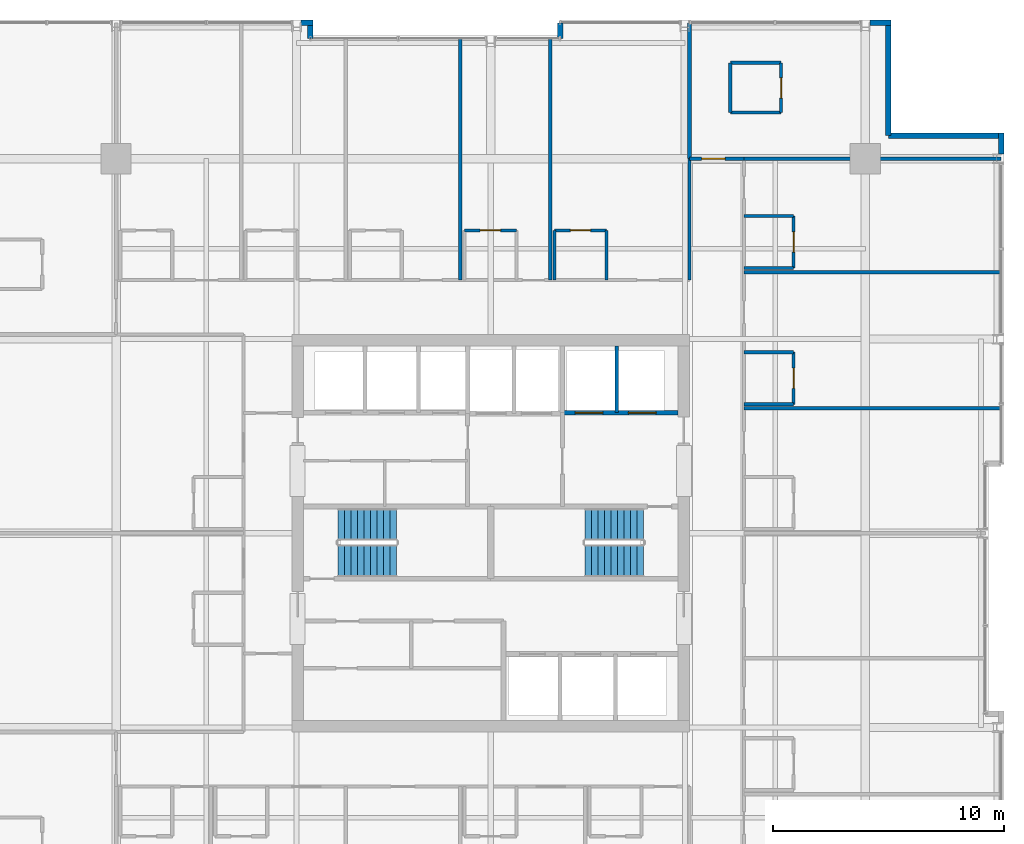
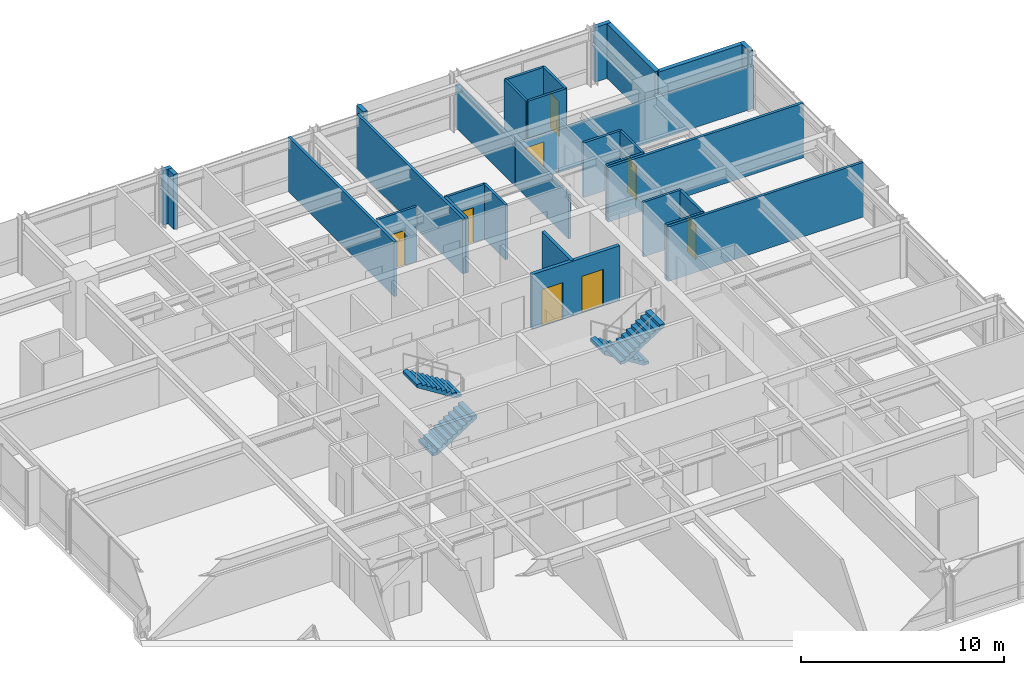
# One storey, part 30 of 32: 31 walls, 8 doors, 4 stair flights, 8 openings, 2 elements without a shape of their own.
"""IFC4 building model written with IfcOpenShell, lengths in metres."""

import ifcopenshell
import ifcopenshell.guid

model = None  # the IFC model being written
_history = None  # IfcOwnerHistory: only IFC2X3 demands one
_inside = {}  # id of a spatial element -> (the spatial element, [elements in it])
_under = {}  # id of a project, library or spatial element -> (it, [spatial elements below it])
_declared = {}  # id of a project -> (the project, [libraries it declares])
_typed = {}  # id of a type object -> (the type object, [elements of that type])
_made_of = {}  # id of a material, layer set ... -> (it, [elements and type objects made of it])


def new_model(schema):
    """Start an empty IFC model of exactly this schema.

    Asked for "IFC4X3", IfcOpenShell would pick the latest addendum, in which some entities
    have other attributes; the version numbers below select the first issue.
    IFC2X3 requires an IfcOwnerHistory on every rooted entity: one is made here for all.
    """
    global model, _history
    if schema == "IFC4X3":
        model = ifcopenshell.file(schema_version=(4, 3, 0, 0))
    else:
        model = ifcopenshell.file(schema=schema)
    _inside.clear()
    _under.clear()
    _declared.clear()
    _typed.clear()
    _made_of.clear()
    _history = None
    if model.schema == "IFC2X3":
        org = make("IfcOrganization", Name="unknown")
        user = make(
            "IfcPersonAndOrganization",
            ThePerson=make("IfcPerson", FamilyName="unknown"),
            TheOrganization=org,
        )
        app = make(
            "IfcApplication",
            ApplicationDeveloper=org,
            Version="unknown",
            ApplicationFullName="unknown",
            ApplicationIdentifier="unknown",
        )
        _history = make(
            "IfcOwnerHistory",
            OwningUser=user,
            OwningApplication=app,
            ChangeAction="ADDED",
            CreationDate=0,
        )
    return model


def make(cls, **values):
    """One entity of the class cls with the attributes given. An attribute that is None is left unset."""
    return model.create_entity(
        cls, **{name: value for name, value in values.items() if value is not None}
    )


def rooted(cls, **values):
    """An entity with a GlobalId (a new one), such as an element, a storey or a relation."""
    return make(cls, GlobalId=ifcopenshell.guid.new(), OwnerHistory=_history, **values)


def si_unit(unit_type, name, prefix=None):
    """IfcSIUnit, for example si_unit("LENGTHUNIT", "METRE", prefix="MILLI")."""
    return make("IfcSIUnit", UnitType=unit_type, Prefix=prefix, Name=name)


def assignment(units):
    """IfcUnitAssignment: the units of a project."""
    return None if units is None else make("IfcUnitAssignment", Units=units)


def point(xyz):
    """IfcCartesianPoint."""
    return None if xyz is None else make("IfcCartesianPoint", Coordinates=xyz)


def direction(xyz):
    """IfcDirection."""
    return None if xyz is None else make("IfcDirection", DirectionRatios=xyz)


def frame(location, z_axis=None, x_axis=None):
    """IfcAxis2Placement3D, a coordinate frame: its origin and axes. An axis left out is left unset."""
    return make(
        "IfcAxis2Placement3D",
        Location=point(location),
        Axis=direction(z_axis),
        RefDirection=direction(x_axis),
    )


def frame_2d(location, x_axis=None):
    """IfcAxis2Placement2D, a coordinate frame in the plane: its origin and x axis."""
    return make(
        "IfcAxis2Placement2D", Location=point(location), RefDirection=direction(x_axis)
    )


def origin():
    """The frame at (0, 0, 0) with its axes left unset."""
    return frame((0.0, 0.0, 0.0))


def place(relative_to, where):
    """IfcLocalPlacement: puts the frame where relative to a parent placement (None: the world)."""
    return make(
        "IfcLocalPlacement", PlacementRelTo=relative_to, RelativePlacement=where
    )


def context(
    kind, dimensions, precision=None, world=None, true_north=None, identifier=None
):
    """IfcGeometricRepresentationContext, for example the 3D "Model" context."""
    return make(
        "IfcGeometricRepresentationContext",
        ContextIdentifier=identifier,
        ContextType=kind,
        CoordinateSpaceDimension=dimensions,
        Precision=precision,
        WorldCoordinateSystem=world,
        TrueNorth=true_north,
    )


def subcontext(parent, identifier, kind, view, scale=None):
    """IfcGeometricRepresentationSubContext, for example "Body" below "Model"."""
    return make(
        "IfcGeometricRepresentationSubContext",
        ContextIdentifier=identifier,
        ContextType=kind,
        ParentContext=parent,
        TargetScale=scale,
        TargetView=view,
    )


def project(units=None, contexts=None):
    """IfcProject with its units and contexts."""
    return rooted(
        "IfcProject",
        Name="project",
        RepresentationContexts=contexts,
        UnitsInContext=assignment(units),
    )


def spatial(cls, under=None, at=None, **own):
    """A site, building, storey or space (cls), placed at a placement, below another one or the project."""
    s = rooted(cls, ObjectPlacement=at, **own)
    if under is not None:
        _under.setdefault(under.id(), (under, []))[1].append(s)
    return s


def polyline(points):
    """IfcPolyline through the points."""
    return make("IfcPolyline", Points=[point(p) for p in points])


def profile(cls, at=None, kind="AREA", **sizes):
    """A parametric profile (cls). Its sizes go by their IFC names, for example OverallWidth=200.0."""
    return make(cls, ProfileType=kind, Position=at, **sizes)


def rectangle(**sizes):
    """IfcRectangleProfileDef."""
    return profile("IfcRectangleProfileDef", **sizes)


def outline(outer, holes=None, kind="AREA"):
    """IfcArbitraryClosedProfileDef: a profile drawn as a closed curve; with holes, ...WithVoids."""
    if holes is None:
        return make("IfcArbitraryClosedProfileDef", ProfileType=kind, OuterCurve=outer)
    return make(
        "IfcArbitraryProfileDefWithVoids",
        ProfileType=kind,
        OuterCurve=outer,
        InnerCurves=holes,
    )


def extrude(swept, where, along, depth):
    """IfcExtrudedAreaSolid: the profile swept, set in the frame where, extruded along a direction by depth."""
    return make(
        "IfcExtrudedAreaSolid",
        SweptArea=swept,
        Position=where,
        ExtrudedDirection=direction(along),
        Depth=depth,
    )


def shape(context_of_items, identifier, shape_type, items):
    """IfcShapeRepresentation: the items that make up one representation, for example the "Body"."""
    return make(
        "IfcShapeRepresentation",
        ContextOfItems=context_of_items,
        RepresentationIdentifier=identifier,
        RepresentationType=shape_type,
        Items=items,
    )


def material(Name=None, Category=None):
    """IfcMaterial."""
    return make("IfcMaterial", Name=Name, Category=Category)


def layer(
    of_material, thickness, ventilated=None, Name=None, Category=None, Priority=None
):
    """IfcMaterialLayer: one layer of a wall or slab, of a material (None: an air gap)."""
    return make(
        "IfcMaterialLayer",
        Material=of_material,
        LayerThickness=thickness,
        IsVentilated=ventilated,
        Name=Name,
        Category=Category,
        Priority=Priority,
    )


def layer_set(layers, Name=None):
    """IfcMaterialLayerSet."""
    return make("IfcMaterialLayerSet", MaterialLayers=layers, LayerSetName=Name)


def made_of(thing, what):
    """Note that an element or type object is made of a material, layer set ...; save() writes the relation."""
    if what is not None:
        _made_of.setdefault(what.id(), (what, []))[1].append(thing)
    return thing


def type_object(cls, material=None, **own):
    """A type object (cls), such as IfcWallType, which elements share."""
    return made_of(rooted(cls, **own), material)


def element(
    cls,
    number,
    at=None,
    inside=None,
    cuts=None,
    type_object=None,
    material=None,
    context=None,
    identifier="Body",
    shape_type=None,
    held_by="IfcProductDefinitionShape",
    body=None,
    shapes=None,
    **own,
):
    """One element of the class cls, such as IfcWall. Its Tag is "e" and its number.

    at: its placement. inside: the storey or other place that contains it. cuts: it is an
    opening in that element (IfcRelVoidsElement). A single representation is given by context,
    identifier, shape_type and body (its items); several are given by shapes. held_by: the class
    of the entity that holds the representations. save() writes the other relations.
    """
    e = rooted(cls, Tag="e%d" % number, ObjectPlacement=at, **own)
    if body is not None:
        shapes = [shape(context, identifier, shape_type, body)]
    if shapes is not None:
        e.Representation = make(held_by, Representations=shapes)
    if inside is not None:
        _inside.setdefault(inside.id(), (inside, []))[1].append(e)
    if cuts is not None:
        rooted(
            "IfcRelVoidsElement", RelatingBuildingElement=cuts, RelatedOpeningElement=e
        )
    if type_object is not None:
        _typed.setdefault(type_object.id(), (type_object, []))[1].append(e)
    return made_of(e, material)


def fill(opening, filler):
    """IfcRelFillsElement: the door or window that sits in an opening."""
    return rooted(
        "IfcRelFillsElement",
        RelatingOpeningElement=opening,
        RelatedBuildingElement=filler,
    )


def aggregate(whole, parts):
    """IfcRelAggregates: a whole, such as a stair, and the parts it consists of."""
    return rooted("IfcRelAggregates", RelatingObject=whole, RelatedObjects=parts)


def save(model, path):
    """Write the relations noted so far, then the file.

    IfcRelAggregates (storeys below a building ...), IfcRelContainedInSpatialStructure (elements
    in a storey), IfcRelDefinesByType, IfcRelAssociatesMaterial and IfcRelDeclares: one each for
    every whole, place, type object, material and project.
    """
    for whole, parts in _under.values():
        aggregate(whole, parts)
    for where, things in _inside.values():
        rooted(
            "IfcRelContainedInSpatialStructure",
            RelatedElements=things,
            RelatingStructure=where,
        )
    for kind, things in _typed.values():
        rooted("IfcRelDefinesByType", RelatedObjects=things, RelatingType=kind)
    for what, things in _made_of.values():
        rooted("IfcRelAssociatesMaterial", RelatedObjects=things, RelatingMaterial=what)
    for by, libraries in _declared.values():
        rooted("IfcRelDeclares", RelatingContext=by, RelatedDefinitions=libraries)
    model.write(path)


model = new_model("IFC4")

# Units and contexts
model_context = context("Model", 3, precision=1e-05, world=origin(), true_north=direction((0.0, 1.0)))
body_context = subcontext(model_context, "Body", "Model", "MODEL_VIEW")
ifc_project = project(units=[si_unit("LENGTHUNIT", "METRE"), si_unit("AREAUNIT", "SQUARE_METRE"), si_unit("VOLUMEUNIT", "CUBIC_METRE"), si_unit("PLANEANGLEUNIT", "RADIAN"), si_unit("MASSUNIT", "GRAM", prefix="KILO")], contexts=[model_context])

# Site, building, storey
site_placement = place(None, origin())
site = spatial("IfcSite", under=ifc_project, at=site_placement, CompositionType="ELEMENT")
building_placement = place(site_placement, origin())
building = spatial("IfcBuilding", under=site, at=building_placement, Name="Drelvath Grand Hotel", CompositionType="ELEMENT")
storey_placement = place(building_placement, frame((0.0, 0.0, 150.39990234375)))
storey = spatial("IfcBuildingStorey", under=building, at=storey_placement, Name="L38", CompositionType="ELEMENT", Elevation=150.39990234375)

# Wall, openings, doors
ifc_material_1 = material(Name="Concrete C40/50", Category="concrete")
ifc_layer_1 = layer(ifc_material_1, 0.199951171875)
ifc_layer_set_1 = layer_set([ifc_layer_1], Name="Concrete C40/50")
wall_type_1 = type_object("IfcWallType", Name="Core Hoistway Fire Wall 200", PredefinedType="SOLIDWALL", material=ifc_layer_set_1)
wall_1_placement = place(storey_placement, frame((3.10009765625, 32.219970703125, 0.0), z_axis=(0.0, 0.0, 1.0), x_axis=(1.0, 0.0, 0.0)))
wall_1 = element("IfcWall", 1, at=wall_1_placement, inside=storey, type_object=wall_type_1, Name="L38 FSAE Hoistway Front Wall", PredefinedType="SOLIDWALL", context=body_context, shape_type="SweptSolid", body=[
    extrude(rectangle(XDim=5.0, YDim=0.199951171875, at=frame_2d((2.5, 0.0))), origin(), (0.0, 0.0, 1.0), 3.2900390625),
])
opening_1_placement = place(wall_1_placement, frame((0.550048828125, 0.0, 0.0)))
opening_1 = element("IfcOpeningElement", 2, at=opening_1_placement, cuts=wall_1, Name="Opening LD-FSAE-1", PredefinedType="OPENING", context=body_context, shape_type="SweptSolid", body=[
    extrude(rectangle(XDim=1.199951171875, YDim=2.199951171875, at=frame_2d((0.60009765625, 1.10009765625))), frame((0.0, 0.10986328125, 0.0), z_axis=(0.0, -1.0, 0.0), x_axis=(1.0, 0.0, 0.0)), (0.0, 0.0, 1.0), 0.219970703125),
])
opening_2_placement = place(wall_1_placement, frame((2.85009765625, 0.0, 0.0)))
opening_2 = element("IfcOpeningElement", 3, at=opening_2_placement, cuts=wall_1, Name="Opening LD-FSAE-2", PredefinedType="OPENING", context=body_context, shape_type="SweptSolid", body=[
    extrude(rectangle(XDim=1.199951171875, YDim=2.199951171875, at=frame_2d((0.60009765625, 1.10009765625))), frame((0.0, 0.10986328125, 0.0), z_axis=(0.0, -1.0, 0.0), x_axis=(1.0, 0.0, 0.0)), (0.0, 0.0, 1.0), 0.219970703125),
])
ifc_material_2 = material(Name="Stainless Steel S355", Category="steel")
door_type_1 = type_object("IfcDoorType", Name="FSAE Lift Sliding Landing Door 1200x2200", OperationType="NOTDEFINED", PredefinedType="DOOR", material=ifc_material_2)
door_1_placement = place(opening_1_placement, origin())
door_1 = element("IfcDoor", 4, at=door_1_placement, inside=storey, type_object=door_type_1, Name="L38 Lift FSAE-1 Landing Door", OperationType="SLIDING_TO_LEFT", OverallHeight=2.199951171875, OverallWidth=1.199951171875, PredefinedType="DOOR", context=body_context, shape_type="SweptSolid", body=[
    extrude(rectangle(XDim=1.199951171875, YDim=2.199951171875, at=frame_2d((0.60009765625, 1.10009765625))), frame((0.0, 0.02490234375, 0.0), z_axis=(0.0, -1.0, 0.0), x_axis=(1.0, 0.0, 0.0)), (0.0, 0.0, 1.0), 0.050048828125),
])
fill(opening_1, door_1)
door_2_placement = place(opening_2_placement, origin())
door_2 = element("IfcDoor", 5, at=door_2_placement, inside=storey, type_object=door_type_1, Name="L38 Lift FSAE-2 Landing Door", OperationType="SLIDING_TO_LEFT", OverallHeight=2.199951171875, OverallWidth=1.199951171875, PredefinedType="DOOR", context=body_context, shape_type="SweptSolid", body=[
    extrude(rectangle(XDim=1.199951171875, YDim=2.199951171875, at=frame_2d((0.60009765625, 1.10009765625))), frame((0.0, 0.02490234375, 0.0), z_axis=(0.0, -1.0, 0.0), x_axis=(1.0, 0.0, 0.0)), (0.0, 0.0, 1.0), 0.050048828125),
])
fill(opening_2, door_2)

# Walls
ifc_material_3 = material(Name="Gypsum Fireboard Partition")
ifc_layer_2 = layer(ifc_material_3, 0.1650390625)
ifc_layer_set_2 = layer_set([ifc_layer_2], Name="Gypsum Fireboard Partition")
wall_type_2 = type_object("IfcWallType", Name="Core Shaft Partition 165", PredefinedType="PARTITIONING", material=ifc_layer_set_2)
wall_2_placement = place(storey_placement, frame((5.449951171875, 32.219970703125, 0.0), z_axis=(0.0, 0.0, 1.0), x_axis=(0.0, 1.0, 0.0)))
element("IfcWall", 6, at=wall_2_placement, inside=storey, type_object=wall_type_2, Name="L38 FSAE Hoistway Divider", PredefinedType="PARTITIONING", context=body_context, shape_type="SweptSolid", body=[
    extrude(rectangle(XDim=2.880126953125, YDim=0.1650390625, at=frame_2d((1.43994140625, 0.0))), origin(), (0.0, 0.0, 1.0), 3.2900390625),
])
ifc_layer_3 = layer(ifc_material_3, 0.135009765625)
ifc_layer_set_3 = layer_set([ifc_layer_3], Name="Gypsum Fireboard Partition")
wall_type_3 = type_object("IfcWallType", Name="Corridor Fire Barrier Wall 135", PredefinedType="PARTITIONING", material=ifc_layer_set_3)
wall_3_placement = place(storey_placement, frame((8.60009765625, 37.949951171875, 0.0), z_axis=(0.0, 0.0, 1.0), x_axis=(0.0, 1.0, 0.0)))
element("IfcWall", 7, at=wall_3_placement, inside=storey, type_object=wall_type_3, Name="L38 East Spine North Inner Wall", PredefinedType="PARTITIONING", context=body_context, shape_type="SweptSolid", body=[
    extrude(rectangle(XDim=5.25, YDim=0.135009765625, at=frame_2d((2.625, 0.0))), origin(), (0.0, 0.0, 1.0), 2.66748046875),
])

# Wall, opening, door
wall_4_placement = place(storey_placement, frame((8.60009765625, 43.199951171875, 0.0), z_axis=(0.0, 0.0, 1.0), x_axis=(1.0, 0.0, 0.0)))
wall_4 = element("IfcWall", 8, at=wall_4_placement, inside=storey, type_object=wall_type_3, Name="L38 East Spine North End", PredefinedType="PARTITIONING", context=body_context, shape_type="SweptSolid", body=[
    extrude(rectangle(XDim=2.349853515625, YDim=0.135009765625, at=frame_2d((1.1748046875, 0.0))), origin(), (0.0, 0.0, 1.0), 2.57958984375),
])
opening_3_placement = place(wall_4_placement, frame((0.52001953125, 0.0, 0.0)))
opening_3 = element("IfcOpeningElement", 9, at=opening_3_placement, cuts=wall_4, Name="Opening D-T3G1-033", PredefinedType="OPENING", context=body_context, shape_type="SweptSolid", body=[
    extrude(rectangle(XDim=1.02001953125, YDim=2.14990234375, at=frame_2d((0.510009765625, 1.074951171875))), frame((0.0, 0.077392578125, 0.0), z_axis=(0.0, -1.0, 0.0), x_axis=(1.0, 0.0, 0.0)), (0.0, 0.0, 1.0), 0.155029296875),
])
ifc_material_4 = material(Name="Hardwood Walnut Timber", Category="wood")
door_type_2 = type_object("IfcDoorType", Name="Amenity Meeting Fire Door 1020x2150", OperationType="NOTDEFINED", PredefinedType="DOOR", material=ifc_material_4)
door_3_placement = place(opening_3_placement, origin())
door_3 = element("IfcDoor", 10, at=door_3_placement, inside=storey, type_object=door_type_2, Name="L38 Executive Suite Entry Door", OperationType="SINGLE_SWING_LEFT", OverallHeight=2.14990234375, OverallWidth=1.02001953125, PredefinedType="DOOR", context=body_context, shape_type="SweptSolid", body=[
    extrude(rectangle(XDim=1.02001953125, YDim=2.14990234375, at=frame_2d((0.510009765625, 1.074951171875))), frame((0.0, 0.02490234375, 0.0), z_axis=(0.0, -1.0, 0.0), x_axis=(1.0, 0.0, 0.0)), (0.0, 0.0, 1.0), 0.050048828125),
])
fill(opening_3, door_3)

# Walls
ifc_material_5 = material(Name="Moisture-Resistant Gypsum Board")
ifc_layer_4 = layer(ifc_material_5, 0.139892578125)
ifc_layer_set_4 = layer_set([ifc_layer_4], Name="Moisture-Resistant Gypsum Board")
wall_type_4 = type_object("IfcWallType", Name="En-Suite Plumbing Wall 140", PredefinedType="PLUMBINGWALL", material=ifc_layer_set_4)
for number, where, z_axis, x_axis, name in (
    (11, (10.360107421875, 45.199951171875, 0.0), (0.0, 0.0, 1.0), (1.0, 0.0, 0.0), "L38 Corner En-Suite South"),
    (12, (10.360107421875, 47.35009765625, 0.0), (0.0, 0.0, 1.0), (1.0, 0.0, 0.0), "L38 Corner En-Suite North"),
):
    element("IfcWall", number, at=place(storey_placement, frame(where, z_axis=z_axis, x_axis=x_axis)), inside=storey, type_object=wall_type_4, Name=name, PredefinedType="PLUMBINGWALL", context=body_context, shape_type="SweptSolid", body=[
        extrude(rectangle(XDim=2.199951171875, YDim=0.139892578125, at=frame_2d((1.10009765625, 0.0))), origin(), (0.0, 0.0, 1.0), 3.2900390625),
    ])
wall_5_placement = place(storey_placement, frame((10.360107421875, 45.199951171875, 0.0), z_axis=(0.0, 0.0, 1.0), x_axis=(0.0, 1.0, 0.0)))
element("IfcWall", 13, at=wall_5_placement, inside=storey, type_object=wall_type_4, Name="L38 Corner En-Suite West", PredefinedType="PLUMBINGWALL", context=body_context, shape_type="SweptSolid", body=[
    extrude(rectangle(XDim=2.150146484375, YDim=0.139892578125, at=frame_2d((1.0751953125, 0.0))), origin(), (0.0, 0.0, 1.0), 3.2900390625),
])

# Wall, opening, door
wall_6_placement = place(storey_placement, frame((12.56005859375, 45.199951171875, 0.0), z_axis=(0.0, 0.0, 1.0), x_axis=(0.0, 1.0, 0.0)))
wall_6 = element("IfcWall", 14, at=wall_6_placement, inside=storey, type_object=wall_type_4, Name="L38 Corner En-Suite East", PredefinedType="PLUMBINGWALL", context=body_context, shape_type="SweptSolid", body=[
    extrude(rectangle(XDim=2.150146484375, YDim=0.139892578125, at=frame_2d((1.0751953125, 0.0))), origin(), (0.0, 0.0, 1.0), 3.2900390625),
])
opening_4_placement = place(wall_6_placement, frame((0.6201171875, 0.0, 0.0)))
opening_4 = element("IfcOpeningElement", 15, at=opening_4_placement, cuts=wall_6, Name="Opening D-T3G1-032", PredefinedType="OPENING", context=body_context, shape_type="SweptSolid", body=[
    extrude(rectangle(XDim=0.8798828125, YDim=2.10009765625, at=frame_2d((0.43994140625, 1.050048828125))), frame((0.0, 0.079833984375, 0.0), z_axis=(0.0, -1.0, 0.0), x_axis=(1.0, 0.0, 0.0)), (0.0, 0.0, 1.0), 0.159912109375),
])
door_type_3 = type_object("IfcDoorType", Name="En-Suite Bathroom Door 880x2100", OperationType="NOTDEFINED", PredefinedType="DOOR", material=ifc_material_4)
door_4_placement = place(opening_4_placement, origin())
door_4 = element("IfcDoor", 16, at=door_4_placement, inside=storey, type_object=door_type_3, Name="L38 Corner En-Suite Door", OperationType="SINGLE_SWING_RIGHT", OverallHeight=2.10009765625, OverallWidth=0.8798828125, PredefinedType="DOOR", context=body_context, shape_type="SweptSolid", body=[
    extrude(rectangle(XDim=0.8798828125, YDim=2.10009765625, at=frame_2d((0.43994140625, 1.050048828125))), frame((0.0, 0.02490234375, 0.0), z_axis=(0.0, -1.0, 0.0), x_axis=(1.0, 0.0, 0.0)), (0.0, 0.0, 1.0), 0.050048828125),
])
fill(opening_4, door_4)

wall_7_placement = place(storey_placement, frame((-1.139892578125, 40.10009765625, 0.0), z_axis=(0.0, 0.0, 1.0), x_axis=(1.0, 0.0, 0.0)))
wall_7 = element("IfcWall", 17, at=wall_7_placement, inside=storey, type_object=wall_type_4, Name="L38 En-Suite Front Wall", PredefinedType="PLUMBINGWALL", context=body_context, shape_type="SweptSolid", body=[
    extrude(rectangle(XDim=2.25, YDim=0.139892578125, at=frame_2d((1.125, 0.0))), origin(), (0.0, 0.0, 1.0), 3.2900390625),
])
opening_5_placement = place(wall_7_placement, frame((0.68505859375, 0.0, 0.0)))
opening_5 = element("IfcOpeningElement", 18, at=opening_5_placement, cuts=wall_7, Name="Opening D-T3G1-049", PredefinedType="OPENING", context=body_context, shape_type="SweptSolid", body=[
    extrude(rectangle(XDim=0.8798828125, YDim=2.10009765625, at=frame_2d((0.43994140625, 1.050048828125))), frame((0.0, 0.079833984375, 0.0), z_axis=(0.0, -1.0, 0.0), x_axis=(1.0, 0.0, 0.0)), (0.0, 0.0, 1.0), 0.159912109375),
])
door_5_placement = place(opening_5_placement, origin())
door_5 = element("IfcDoor", 19, at=door_5_placement, inside=storey, type_object=door_type_3, Name="L38 En-Suite Bathroom Door", OperationType="SINGLE_SWING_LEFT", OverallHeight=2.10009765625, OverallWidth=0.8798828125, PredefinedType="DOOR", context=body_context, shape_type="SweptSolid", body=[
    extrude(rectangle(XDim=0.8798828125, YDim=2.10009765625, at=frame_2d((0.43994140625, 1.050048828125))), frame((0.0, 0.02490234375, 0.0), z_axis=(0.0, -1.0, 0.0), x_axis=(1.0, 0.0, 0.0)), (0.0, 0.0, 1.0), 0.050048828125),
])
fill(opening_5, door_5)

# Walls
for number, where, z_axis, x_axis, name in (
    (20, (2.760009765625, 37.949951171875, 0.0), (0.0, 0.0, 1.0), (0.0, 1.0, 0.0), "L38 En-Suite Left Wall"),
    (21, (5.010009765625, 37.949951171875, 0.0), (0.0, 0.0, 1.0), (0.0, 1.0, 0.0), "L38 En-Suite Right Wall"),
):
    element("IfcWall", number, at=place(storey_placement, frame(where, z_axis=z_axis, x_axis=x_axis)), inside=storey, type_object=wall_type_4, Name=name, PredefinedType="PLUMBINGWALL", context=body_context, shape_type="SweptSolid", body=[
        extrude(rectangle(XDim=2.150146484375, YDim=0.139892578125, at=frame_2d((1.0751953125, 0.0))), origin(), (0.0, 0.0, 1.0), 3.2900390625),
    ])

# Wall, opening, door
wall_8_placement = place(storey_placement, frame((2.760009765625, 40.10009765625, 0.0), z_axis=(0.0, 0.0, 1.0), x_axis=(1.0, 0.0, 0.0)))
wall_8 = element("IfcWall", 22, at=wall_8_placement, inside=storey, type_object=wall_type_4, Name="L38 En-Suite Front Wall", PredefinedType="PLUMBINGWALL", context=body_context, shape_type="SweptSolid", body=[
    extrude(rectangle(XDim=2.25, YDim=0.139892578125, at=frame_2d((1.125, 0.0))), origin(), (0.0, 0.0, 1.0), 3.2900390625),
])
opening_6_placement = place(wall_8_placement, frame((0.68505859375, 0.0, 0.0)))
opening_6 = element("IfcOpeningElement", 23, at=opening_6_placement, cuts=wall_8, Name="Opening D-T3G1-051", PredefinedType="OPENING", context=body_context, shape_type="SweptSolid", body=[
    extrude(rectangle(XDim=0.8798828125, YDim=2.10009765625, at=frame_2d((0.43994140625, 1.050048828125))), frame((0.0, 0.079833984375, 0.0), z_axis=(0.0, -1.0, 0.0), x_axis=(1.0, 0.0, 0.0)), (0.0, 0.0, 1.0), 0.159912109375),
])
door_6_placement = place(opening_6_placement, origin())
door_6 = element("IfcDoor", 24, at=door_6_placement, inside=storey, type_object=door_type_3, Name="L38 En-Suite Bathroom Door", OperationType="SINGLE_SWING_LEFT", OverallHeight=2.10009765625, OverallWidth=0.8798828125, PredefinedType="DOOR", context=body_context, shape_type="SweptSolid", body=[
    extrude(rectangle(XDim=0.8798828125, YDim=2.10009765625, at=frame_2d((0.43994140625, 1.050048828125))), frame((0.0, 0.02490234375, 0.0), z_axis=(0.0, -1.0, 0.0), x_axis=(1.0, 0.0, 0.0)), (0.0, 0.0, 1.0), 0.050048828125),
])
fill(opening_6, door_6)

# Walls
for number, where, z_axis, x_axis, name in (
    (25, (10.949951171875, 32.580078125, 0.0), (0.0, 0.0, 1.0), (1.0, 0.0, 0.0), "L38 En-Suite Left Wall"),
    (26, (10.949951171875, 34.830078125, 0.0), (0.0, 0.0, 1.0), (1.0, 0.0, 0.0), "L38 En-Suite Right Wall"),
):
    element("IfcWall", number, at=place(storey_placement, frame(where, z_axis=z_axis, x_axis=x_axis)), inside=storey, type_object=wall_type_4, Name=name, PredefinedType="PLUMBINGWALL", context=body_context, shape_type="SweptSolid", body=[
        extrude(rectangle(XDim=2.150146484375, YDim=0.139892578125, at=frame_2d((1.0751953125, 0.0))), origin(), (0.0, 0.0, 1.0), 3.2900390625),
    ])

# Wall, opening, door
wall_9_placement = place(storey_placement, frame((13.10009765625, 32.580078125, 0.0), z_axis=(0.0, 0.0, 1.0), x_axis=(0.0, 1.0, 0.0)))
wall_9 = element("IfcWall", 27, at=wall_9_placement, inside=storey, type_object=wall_type_4, Name="L38 En-Suite Front Wall", PredefinedType="PLUMBINGWALL", context=body_context, shape_type="SweptSolid", body=[
    extrude(rectangle(XDim=2.25, YDim=0.139892578125, at=frame_2d((1.125, 0.0))), origin(), (0.0, 0.0, 1.0), 3.2900390625),
])
opening_7_placement = place(wall_9_placement, frame((0.68505859375, 0.0, 0.0)))
opening_7 = element("IfcOpeningElement", 28, at=opening_7_placement, cuts=wall_9, Name="Opening D-T3G1-060", PredefinedType="OPENING", context=body_context, shape_type="SweptSolid", body=[
    extrude(rectangle(XDim=0.8798828125, YDim=2.10009765625, at=frame_2d((0.43994140625, 1.050048828125))), frame((0.0, 0.079833984375, 0.0), z_axis=(0.0, -1.0, 0.0), x_axis=(1.0, 0.0, 0.0)), (0.0, 0.0, 1.0), 0.159912109375),
])
door_7_placement = place(opening_7_placement, origin())
door_7 = element("IfcDoor", 29, at=door_7_placement, inside=storey, type_object=door_type_3, Name="L38 En-Suite Bathroom Door", OperationType="SINGLE_SWING_RIGHT", OverallHeight=2.10009765625, OverallWidth=0.8798828125, PredefinedType="DOOR", context=body_context, shape_type="SweptSolid", body=[
    extrude(rectangle(XDim=0.8798828125, YDim=2.10009765625, at=frame_2d((0.43994140625, 1.050048828125))), frame((0.0, 0.02490234375, 0.0), z_axis=(0.0, -1.0, 0.0), x_axis=(1.0, 0.0, 0.0)), (0.0, 0.0, 1.0), 0.050048828125),
])
fill(opening_7, door_7)

# Walls
for number, where, z_axis, x_axis, name in (
    (30, (10.949951171875, 38.470947265625, 0.0), (0.0, 0.0, 1.0), (1.0, 0.0, 0.0), "L38 En-Suite Left Wall"),
    (31, (10.949951171875, 40.720947265625, 0.0), (0.0, 0.0, 1.0), (1.0, 0.0, 0.0), "L38 En-Suite Right Wall"),
):
    element("IfcWall", number, at=place(storey_placement, frame(where, z_axis=z_axis, x_axis=x_axis)), inside=storey, type_object=wall_type_4, Name=name, PredefinedType="PLUMBINGWALL", context=body_context, shape_type="SweptSolid", body=[
        extrude(rectangle(XDim=2.150146484375, YDim=0.139892578125, at=frame_2d((1.0751953125, 0.0))), origin(), (0.0, 0.0, 1.0), 3.2900390625),
    ])

# Wall, opening, door
wall_10_placement = place(storey_placement, frame((13.10009765625, 38.470947265625, 0.0), z_axis=(0.0, 0.0, 1.0), x_axis=(0.0, 1.0, 0.0)))
wall_10 = element("IfcWall", 32, at=wall_10_placement, inside=storey, type_object=wall_type_4, Name="L38 En-Suite Front Wall", PredefinedType="PLUMBINGWALL", context=body_context, shape_type="SweptSolid", body=[
    extrude(rectangle(XDim=2.25, YDim=0.139892578125, at=frame_2d((1.125, 0.0))), origin(), (0.0, 0.0, 1.0), 3.2900390625),
])
opening_8_placement = place(wall_10_placement, frame((0.68505859375, 0.0, 0.0)))
opening_8 = element("IfcOpeningElement", 33, at=opening_8_placement, cuts=wall_10, Name="Opening D-T3G1-062", PredefinedType="OPENING", context=body_context, shape_type="SweptSolid", body=[
    extrude(rectangle(XDim=0.8798828125, YDim=2.10009765625, at=frame_2d((0.43994140625, 1.050048828125))), frame((0.0, 0.079833984375, 0.0), z_axis=(0.0, -1.0, 0.0), x_axis=(1.0, 0.0, 0.0)), (0.0, 0.0, 1.0), 0.159912109375),
])
door_8_placement = place(opening_8_placement, origin())
door_8 = element("IfcDoor", 34, at=door_8_placement, inside=storey, type_object=door_type_3, Name="L38 En-Suite Bathroom Door", OperationType="SINGLE_SWING_RIGHT", OverallHeight=2.10009765625, OverallWidth=0.8798828125, PredefinedType="DOOR", context=body_context, shape_type="SweptSolid", body=[
    extrude(rectangle(XDim=0.8798828125, YDim=2.10009765625, at=frame_2d((0.43994140625, 1.050048828125))), frame((0.0, 0.02490234375, 0.0), z_axis=(0.0, -1.0, 0.0), x_axis=(1.0, 0.0, 0.0)), (0.0, 0.0, 1.0), 0.050048828125),
])
fill(opening_8, door_8)

# Walls
ifc_material_6 = material(Name="Gypsum Acoustic Partition")
ifc_layer_5 = layer(ifc_material_6, 0.14990234375)
ifc_layer_set_5 = layer_set([ifc_layer_5], Name="Gypsum Acoustic Partition")
wall_type_5 = type_object("IfcWallType", Name="Guestroom Demising Wall 150", PredefinedType="PARTITIONING", material=ifc_layer_set_5)
for number, where, z_axis, x_axis, name in (
    (35, (-1.320068359375, 37.949951171875, 0.0), (0.0, 0.0, 1.0), (0.0, 1.0, 0.0), "L38 North Demising 3"),
    (36, (2.580078125, 37.949951171875, 0.0), (0.0, 0.0, 1.0), (0.0, 1.0, 0.0), "L38 North Demising 4"),
):
    element("IfcWall", number, at=place(storey_placement, frame(where, z_axis=z_axis, x_axis=x_axis)), inside=storey, type_object=wall_type_5, Name=name, PredefinedType="PARTITIONING", context=body_context, shape_type="SweptSolid", body=[
        extrude(rectangle(XDim=10.449951171875, YDim=0.14990234375, at=frame_2d((5.22509765625, 0.0))), origin(), (0.0, 0.0, 1.0), 3.2900390625),
    ])
for number, where, z_axis, x_axis, name in (
    (37, (10.949951171875, 32.39990234375, 0.0), (0.0, 0.0, 1.0), (1.0, 0.0, 0.0), "L38 East Demising 4"),
    (38, (10.949951171875, 38.291015625, 0.0), (0.0, 0.0, 1.0), (1.0, 0.0, 0.0), "L38 East Demising 5"),
):
    element("IfcWall", number, at=place(storey_placement, frame(where, z_axis=z_axis, x_axis=x_axis)), inside=storey, type_object=wall_type_5, Name=name, PredefinedType="PARTITIONING", context=body_context, shape_type="SweptSolid", body=[
        extrude(rectangle(XDim=11.130126953125, YDim=0.14990234375, at=frame_2d((5.56494140625, 0.0))), origin(), (0.0, 0.0, 1.0), 3.2900390625),
    ])
ifc_layer_6 = layer(ifc_material_6, 0.1650390625)
ifc_layer_set_6 = layer_set([ifc_layer_6], Name="Gypsum Acoustic Partition")
wall_type_6 = type_object("IfcWallType", Name="Suite Demising Wall 165", PredefinedType="PARTITIONING", material=ifc_layer_set_6)
wall_11_placement = place(storey_placement, frame((8.60009765625, 43.199951171875, 0.0), z_axis=(0.0, 0.0, 1.0), x_axis=(0.0, 1.0, 0.0)))
element("IfcWall", 39, at=wall_11_placement, inside=storey, type_object=wall_type_6, Name="L38 NE Suite West Wall", PredefinedType="PARTITIONING", context=body_context, shape_type="SweptSolid", body=[
    extrude(rectangle(XDim=5.880126953125, YDim=0.1650390625, at=frame_2d((2.93994140625, 0.0))), origin(), (0.0, 0.0, 1.0), 2.57958984375),
])
wall_12_placement = place(storey_placement, frame((10.949951171875, 43.199951171875, 0.0), z_axis=(0.0, 0.0, 1.0), x_axis=(1.0, 0.0, 0.0)))
element("IfcWall", 40, at=wall_12_placement, inside=storey, type_object=wall_type_6, Name="L38 NE Suite South Wall", PredefinedType="PARTITIONING", context=body_context, shape_type="SweptSolid", body=[
    extrude(rectangle(XDim=11.130126953125, YDim=0.1650390625, at=frame_2d((5.56494140625, 0.0))), origin(), (0.0, 0.0, 1.0), 2.57958984375),
])
ifc_material_7 = material(Name="Pale-Metal Insulated Aluminium Spandrel Assembly", Category="aluminium")
ifc_layer_7 = layer(ifc_material_7, 0.239990234375)
ifc_layer_set_7 = layer_set([ifc_layer_7], Name="Pale-Metal Insulated Aluminium Spandrel Assembly")
wall_type_7 = type_object("IfcWallType", Name="Tower Insulated Metal Spandrel Closure Wall 240", PredefinedType="STANDARD", material=ifc_layer_set_7)
wall_13_placement = place(storey_placement, frame((22.080078125, 44.320068359375, 0.0), z_axis=(0.0, 0.0, 1.0), x_axis=(0.0, -1.0, 0.0)))
element("IfcWall", 41, at=wall_13_placement, inside=storey, type_object=wall_type_7, Name="L38 Corner Pier Spandrel Wall EN3", PredefinedType="STANDARD", context=body_context, shape_type="SweptSolid", body=[
    extrude(rectangle(XDim=0.919921875, YDim=0.239990234375, at=frame_2d((0.4599609375, 0.0))), origin(), (0.0, 0.0, 1.0), 3.2900390625),
])
wall_14_placement = place(storey_placement, frame((-8.199951171875, 49.080078125, 0.0), z_axis=(0.0, 0.0, 1.0), x_axis=(1.0, 0.0, 0.0)))
element("IfcWall", 42, at=wall_14_placement, inside=storey, type_object=wall_type_7, Name="L38 Corner Pier Spandrel Wall NW3", PredefinedType="STANDARD", context=body_context, shape_type="SweptSolid", body=[
    extrude(rectangle(XDim=0.52001953125, YDim=0.239990234375, at=frame_2d((0.260009765625, 0.0))), origin(), (0.0, 0.0, 1.0), 3.2900390625),
])
wall_15_placement = place(storey_placement, frame((16.400146484375, 49.080078125, 0.0), z_axis=(0.0, 0.0, 1.0), x_axis=(1.0, 0.0, 0.0)))
element("IfcWall", 43, at=wall_15_placement, inside=storey, type_object=wall_type_7, Name="L38 Corner Pier Spandrel Wall NE3", PredefinedType="STANDARD", context=body_context, shape_type="SweptSolid", body=[
    extrude(rectangle(XDim=0.919921875, YDim=0.239990234375, at=frame_2d((0.4599609375, 0.0))), origin(), (0.0, 0.0, 1.0), 3.2900390625),
])
for number, where, z_axis, x_axis, name in (
    (44, (17.199951171875, 48.9599609375, 0.0), (0.0, 0.0, 1.0), (0.0, -1.0, 0.0), "L38 Notched Corner Return Spandrel Wall CNE1"),
    (45, (17.199951171875, 44.199951171875, 0.0), (0.0, 0.0, 1.0), (1.0, 0.0, 0.0), "L38 Notched Corner Return Spandrel Wall CNE2"),
):
    element("IfcWall", number, at=place(storey_placement, frame(where, z_axis=z_axis, x_axis=x_axis)), inside=storey, type_object=wall_type_7, Name=name, PredefinedType="STANDARD", context=body_context, shape_type="SweptSolid", body=[
        extrude(rectangle(XDim=4.760009765625, YDim=0.239990234375, at=frame_2d((2.3798828125, 0.0))), origin(), (0.0, 0.0, 1.0), 3.2900390625),
    ])
wall_16_placement = place(storey_placement, frame((-7.800048828125, 48.9599609375, 0.0), z_axis=(0.0, 0.0, 1.0), x_axis=(0.0, -1.0, 0.0)))
element("IfcWall", 46, at=wall_16_placement, inside=storey, type_object=wall_type_7, Name="L38 Notched Corner Return Spandrel Wall RN1", PredefinedType="STANDARD", context=body_context, shape_type="SweptSolid", body=[
    extrude(rectangle(XDim=0.56005859375, YDim=0.239990234375, at=frame_2d((0.280029296875, 0.0))), origin(), (0.0, 0.0, 1.0), 3.2900390625),
])
wall_17_placement = place(storey_placement, frame((3.0, 48.39990234375, 0.0), z_axis=(0.0, 0.0, 1.0), x_axis=(0.0, 1.0, 0.0)))
element("IfcWall", 47, at=wall_17_placement, inside=storey, type_object=wall_type_7, Name="L38 Notched Corner Return Spandrel Wall RN2", PredefinedType="STANDARD", context=body_context, shape_type="SweptSolid", body=[
    extrude(rectangle(XDim=0.68017578125, YDim=0.239990234375, at=frame_2d((0.340087890625, 0.0))), origin(), (0.0, 0.0, 1.0), 3.2900390625),
])

# Stair, stair flights
stair_type = type_object("IfcStairType", Name="Dogleg Exit Stair W1400-R177.5", PredefinedType="HALF_TURN_STAIR", material=ifc_material_1)
stair_1_placement = place(storey_placement, origin())
stair_1 = element("IfcStair", 48, at=stair_1_placement, inside=storey, type_object=stair_type, Name="L38 Core Exit Stair ST-1", PredefinedType="HALF_TURN_STAIR")
stair_flight_type = type_object("IfcStairFlightType", Name="Concrete Stair Flight W1400-R177.5", PredefinedType="STRAIGHT", material=ifc_material_1)
stair_flight_1_placement = place(storey_placement, frame((-6.60009765625, 25.820068359375, 0.0), z_axis=(0.0, 0.0, 1.0), x_axis=(1.0, 0.0, 0.0)))
stair_flight_1 = element("IfcStairFlight", 49, at=stair_flight_1_placement, type_object=stair_flight_type, Name="ST-1 flight 1", NumberOfRisers=10, NumberOfTreads=9, PredefinedType="STRAIGHT", RiserHeight=0.1775, TreadLength=0.28, context=body_context, shape_type="SweptSolid", body=[
    extrude(outline(polyline([(0.0, 0.0), (0.0, 0.177490234375), (0.280029296875, 0.177490234375), (0.280029296875, 0.35498046875), (0.56005859375, 0.35498046875), (0.56005859375, 0.532470703125), (0.840087890625, 0.532470703125), (0.840087890625, 0.7099609375), (1.1201171875, 0.7099609375), (1.1201171875, 0.887451171875), (1.39990234375, 0.887451171875), (1.39990234375, 1.06494140625), (1.679931640625, 1.06494140625), (1.679931640625, 1.242431640625), (1.9599609375, 1.242431640625), (1.9599609375, 1.419921875), (2.239990234375, 1.419921875), (2.239990234375, 1.597412109375), (2.52001953125, 1.597412109375), (2.52001953125, 1.77490234375), (2.52001953125, 1.408203125), (0.298583984375, 0.0), (0.0, 0.0)])), frame((0.0, 0.699951171875, 0.0), z_axis=(0.0, -1.0, 0.0), x_axis=(1.0, 0.0, 0.0)), (0.0, 0.0, 1.0), 1.39990234375),
])
stair_flight_2_placement = place(storey_placement, frame((-4.080078125, 27.3798828125, 1.775146484375), z_axis=(0.0, 0.0, 1.0), x_axis=(-1.0, 0.0, 0.0)))
stair_flight_2 = element("IfcStairFlight", 50, at=stair_flight_2_placement, type_object=stair_flight_type, Name="ST-1 flight 2", NumberOfRisers=10, NumberOfTreads=9, PredefinedType="STRAIGHT", RiserHeight=0.1775, TreadLength=0.28, context=body_context, shape_type="SweptSolid", body=[
    extrude(outline(polyline([(0.0, 0.0), (0.0, 0.177490234375), (0.280029296875, 0.177490234375), (0.280029296875, 0.35498046875), (0.56005859375, 0.35498046875), (0.56005859375, 0.532470703125), (0.840087890625, 0.532470703125), (0.840087890625, 0.7099609375), (1.1201171875, 0.7099609375), (1.1201171875, 0.887451171875), (1.39990234375, 0.887451171875), (1.39990234375, 1.06494140625), (1.679931640625, 1.06494140625), (1.679931640625, 1.242431640625), (1.9599609375, 1.242431640625), (1.9599609375, 1.419921875), (2.239990234375, 1.419921875), (2.239990234375, 1.597412109375), (2.52001953125, 1.597412109375), (2.52001953125, 1.77490234375), (2.52001953125, 1.408203125), (0.298583984375, 0.0), (0.0, 0.0)])), frame((0.0, 0.699951171875, 0.0), z_axis=(0.0, -1.0, 0.0), x_axis=(1.0, 0.0, 0.0)), (0.0, 0.0, 1.0), 1.39990234375),
])
aggregate(stair_1, [stair_flight_1, stair_flight_2])

stair_2_placement = place(storey_placement, origin())
stair_2 = element("IfcStair", 51, at=stair_2_placement, inside=storey, type_object=stair_type, Name="L38 Core Exit Stair ST-2", PredefinedType="HALF_TURN_STAIR")
stair_flight_3_placement = place(storey_placement, frame((6.60009765625, 27.3798828125, 0.0), z_axis=(0.0, 0.0, 1.0), x_axis=(-1.0, 0.0, 0.0)))
stair_flight_3 = element("IfcStairFlight", 52, at=stair_flight_3_placement, type_object=stair_flight_type, Name="ST-2 flight 1", NumberOfRisers=10, NumberOfTreads=9, PredefinedType="STRAIGHT", RiserHeight=0.1775, TreadLength=0.28, context=body_context, shape_type="SweptSolid", body=[
    extrude(outline(polyline([(0.0, 0.0), (0.0, 0.177490234375), (0.280029296875, 0.177490234375), (0.280029296875, 0.35498046875), (0.56005859375, 0.35498046875), (0.56005859375, 0.532470703125), (0.840087890625, 0.532470703125), (0.840087890625, 0.7099609375), (1.1201171875, 0.7099609375), (1.1201171875, 0.887451171875), (1.39990234375, 0.887451171875), (1.39990234375, 1.06494140625), (1.679931640625, 1.06494140625), (1.679931640625, 1.242431640625), (1.9599609375, 1.242431640625), (1.9599609375, 1.419921875), (2.239990234375, 1.419921875), (2.239990234375, 1.597412109375), (2.52001953125, 1.597412109375), (2.52001953125, 1.77490234375), (2.52001953125, 1.408203125), (0.298583984375, 0.0), (0.0, 0.0)])), frame((0.0, 0.699951171875, 0.0), z_axis=(0.0, -1.0, 0.0), x_axis=(1.0, 0.0, 0.0)), (0.0, 0.0, 1.0), 1.39990234375),
])
stair_flight_4_placement = place(storey_placement, frame((4.080078125, 25.820068359375, 1.775146484375), z_axis=(0.0, 0.0, 1.0), x_axis=(1.0, 0.0, 0.0)))
stair_flight_4 = element("IfcStairFlight", 53, at=stair_flight_4_placement, type_object=stair_flight_type, Name="ST-2 flight 2", NumberOfRisers=10, NumberOfTreads=9, PredefinedType="STRAIGHT", RiserHeight=0.1775, TreadLength=0.28, context=body_context, shape_type="SweptSolid", body=[
    extrude(outline(polyline([(0.0, 0.0), (0.0, 0.177490234375), (0.280029296875, 0.177490234375), (0.280029296875, 0.35498046875), (0.56005859375, 0.35498046875), (0.56005859375, 0.532470703125), (0.840087890625, 0.532470703125), (0.840087890625, 0.7099609375), (1.1201171875, 0.7099609375), (1.1201171875, 0.887451171875), (1.39990234375, 0.887451171875), (1.39990234375, 1.06494140625), (1.679931640625, 1.06494140625), (1.679931640625, 1.242431640625), (1.9599609375, 1.242431640625), (1.9599609375, 1.419921875), (2.239990234375, 1.419921875), (2.239990234375, 1.597412109375), (2.52001953125, 1.597412109375), (2.52001953125, 1.77490234375), (2.52001953125, 1.408203125), (0.298583984375, 0.0), (0.0, 0.0)])), frame((0.0, 0.699951171875, 0.0), z_axis=(0.0, -1.0, 0.0), x_axis=(1.0, 0.0, 0.0)), (0.0, 0.0, 1.0), 1.39990234375),
])
aggregate(stair_2, [stair_flight_3, stair_flight_4])

save(model, "model.ifc")
